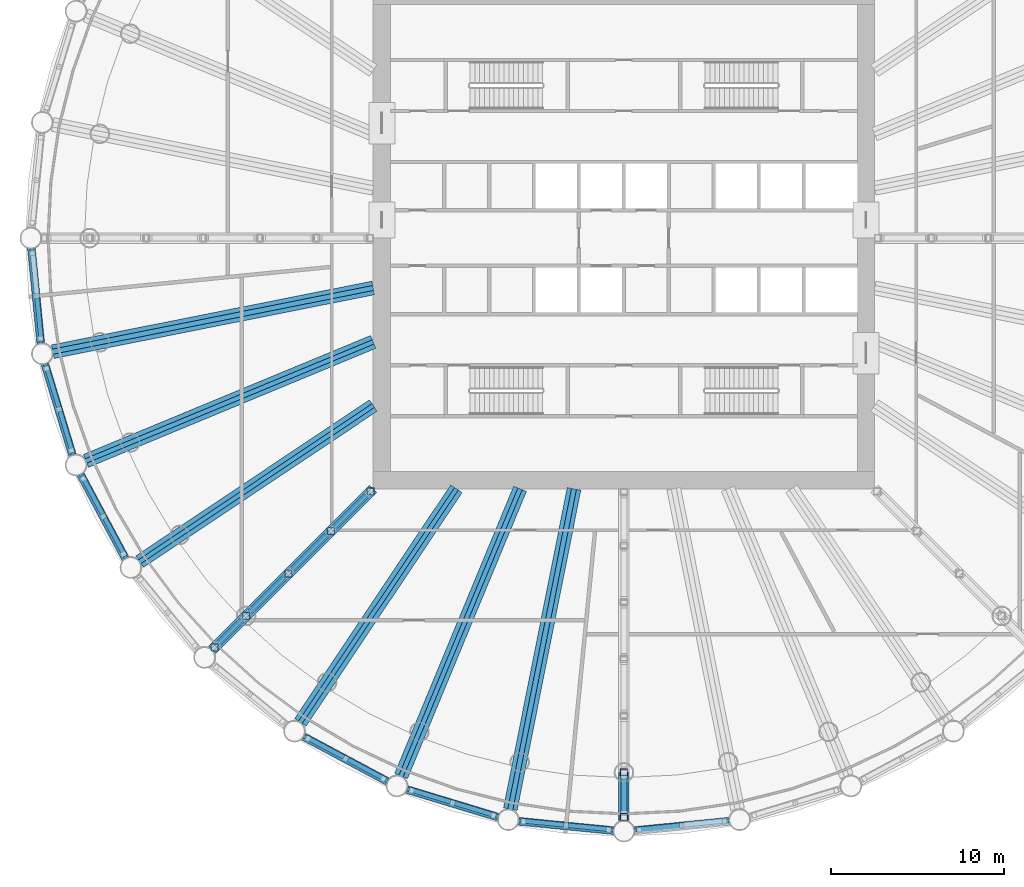
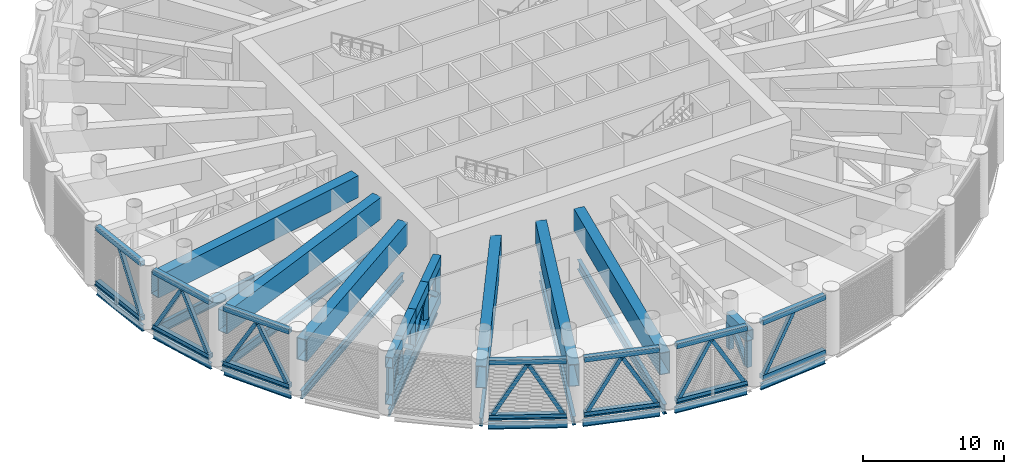
# One storey, part 2 of 29: 50 members, 20 beams, 6 elements without a shape of their own.
"""IFC4 building model written with IfcOpenShell, lengths in metres."""

from ifc_helpers import new_model, si_unit, direction, frame, origin, origin_2d, place, context, subcontext, project, spatial, rectangle, hollow_rectangle, i_section, extrude, material, material_profile, profile_set, type_object, element, aggregate, save


model = new_model("IFC4")

# Units and contexts
model_context = context("Model", 3, precision=1e-05, world=origin(), true_north=direction((0.0, 1.0)))
body_context = subcontext(model_context, "Body", "Model", "MODEL_VIEW")
ifc_project = project(units=[si_unit("LENGTHUNIT", "METRE"), si_unit("AREAUNIT", "SQUARE_METRE"), si_unit("VOLUMEUNIT", "CUBIC_METRE"), si_unit("PLANEANGLEUNIT", "RADIAN"), si_unit("MASSUNIT", "GRAM", prefix="KILO")], contexts=[model_context])

# Site, building, storey
site_placement = place(None, origin())
site = spatial("IfcSite", under=ifc_project, at=site_placement, CompositionType="ELEMENT")
building_placement = place(site_placement, origin())
building = spatial("IfcBuilding", under=site, at=building_placement, Name="Corvane Civic Tower", CompositionType="ELEMENT")
storey_placement = place(building_placement, frame((0.0, 0.0, 138.5)))
storey = spatial("IfcBuildingStorey", under=building, at=storey_placement, Name="L32", CompositionType="ELEMENT", Elevation=138.5)

# Members
ifc_material_1 = material(Name="Steel ASTM A500 Gr C", Category="steel")
ifc_material_profile_1 = material_profile(ifc_material_1, hollow_rectangle(XDim=0.406494140625, YDim=0.406494140625, WallThickness=0.0146484375, at=origin_2d()), Name="HSS16X16X5/8")
ifc_profile_set_1 = profile_set([ifc_material_profile_1], Name="Steel ASTM A500 Gr C")
member_type_1 = type_object("IfcMemberType", Name="BELT CHORD HSS16X16X5/8", PredefinedType="CHORD", material=ifc_profile_set_1)
for number, where, z_axis, x_axis, name in (
    (1, (6.069580078125, -33.7021484375, 4.94677734375), (-0.995183154593, -0.098033100605, 0.0), (0.098033100605, -0.995183154593, 0.0), "Belt truss BT-L32"),
    (2, (6.069580078125, -33.7021484375, 0.203125), (-0.995183154593, -0.098033100605, 0.0), (0.098033100605, -0.995183154593, 0.0), "Belt truss BT-L32"),
    (3, (-0.6220703125, -34.23876953125, 4.94677734375), (-0.995183154593, 0.098033100605, 0.0), (-0.098033100605, -0.995183154593, 0.0), "Belt truss BT-L32"),
    (4, (-0.6220703125, -34.23876953125, 0.203125), (-0.995183154593, 0.098033100605, 0.0), (-0.098033100605, -0.995183154593, 0.0), "Belt truss BT-L32"),
    (5, (-7.289794921875, -33.45947265625, 4.94677734375), (-0.956931700875, 0.290313141039, 0.0), (-0.290313141039, -0.956931700875, 0.0), "Belt truss BT-L32"),
    (6, (-7.289794921875, -33.45947265625, 0.203125), (-0.956931700875, 0.290313141039, 0.0), (-0.290313141039, -0.956931700875, 0.0), "Belt truss BT-L32"),
    (7, (-13.67724609375, -31.394287109375, 4.94677734375), (-0.881929111224, 0.47138205606, 0.0), (-0.47138205606, -0.881929111224, 0.0), "Belt truss BT-L32"),
    (8, (-13.67724609375, -31.394287109375, 0.203125), (-0.881929111224, 0.47138205606, 0.0), (-0.47138205606, -0.881929111224, 0.0), "Belt truss BT-L32"),
    (9, (-28.81396484375, -18.5048828125, 4.94677734375), (-0.47138205606, 0.881929111224, 0.0), (-0.881929111224, -0.47138205606, 0.0), "Belt truss BT-L32"),
    (10, (-28.81396484375, -18.5048828125, 0.203125), (-0.47138205606, 0.881929111224, 0.0), (-0.881929111224, -0.47138205606, 0.0), "Belt truss BT-L32"),
    (11, (-31.870361328125, -12.52783203125, 4.94677734375), (-0.290313141039, 0.956931700875, 0.0), (-0.956931700875, -0.290313141039, 0.0), "Belt truss BT-L32"),
    (12, (-31.870361328125, -12.52783203125, 0.203125), (-0.290313141039, 0.956931700875, 0.0), (-0.956931700875, -0.290313141039, 0.0), "Belt truss BT-L32"),
    (13, (-33.7021484375, -6.069580078125, 4.94677734375), (-0.098033100605, 0.995183154593, 0.0), (-0.995183154593, -0.098033100605, 0.0), "Belt truss BT-L32"),
    (14, (-33.7021484375, -6.069580078125, 0.203125), (-0.098033100605, 0.995183154593, 0.0), (-0.995183154593, -0.098033100605, 0.0), "Belt truss BT-L32"),
):
    element("IfcMember", number, at=place(storey_placement, frame(where, z_axis=z_axis, x_axis=x_axis)), inside=storey, type_object=member_type_1, Name=name, PredefinedType="CHORD", context=body_context, shape_type="SweptSolid", body=[
        extrude(hollow_rectangle(XDim=0.406494140625, YDim=0.406494140625, WallThickness=0.0146484375, at=origin_2d()), origin(), (0.0, 0.0, 1.0), 5.473876953125),
    ])
ifc_material_2 = material(Name="Steel ASTM A500 Gr C", Category="steel")
ifc_material_profile_2 = material_profile(ifc_material_2, hollow_rectangle(XDim=0.3046875, YDim=0.3046875, WallThickness=0.01171875, at=origin_2d()), Name="HSS12X12X1/2")
ifc_profile_set_2 = profile_set([ifc_material_profile_2], Name="Steel ASTM A500 Gr C")
member_type_2 = type_object("IfcMemberType", Name="BELT DIAGONAL HSS12X12X1/2", PredefinedType="BRACE", material=ifc_profile_set_2)
for number, where, z_axis, x_axis, name in (
    (15, (0.870849609375, -34.21435546875, 0.406494140625), (0.495053837868, 0.048782677454, 0.867491756729), (-0.098065181873, 0.995179993822, 0.0), "Belt truss BT-L32"),
    (16, (-0.870849609375, -34.21435546875, 0.406494140625), (-0.495053837868, 0.048782677454, 0.867491756729), (-0.098065181873, -0.995179993822, 0.0), "Belt truss BT-L32"),
):
    element("IfcMember", number, at=place(storey_placement, frame(where, z_axis=z_axis, x_axis=x_axis)), inside=storey, type_object=member_type_2, Name=name, PredefinedType="BRACE", context=body_context, shape_type="SweptSolid", body=[
        extrude(hollow_rectangle(XDim=0.3046875, YDim=0.3046875, WallThickness=0.01171875, at=origin_2d()), origin(), (0.0, 0.0, 1.0), 4.999755859375),
    ])
for number, where, z_axis, x_axis, name in (
    (17, (-5.82080078125, -33.7265625, 0.406494140625), (0.495016972565, -0.048783856722, 0.867512727397), (0.098074762811, 0.995179049669, 0.0), "Belt truss BT-L32"),
    (18, (-7.529052734375, -33.386962890625, 0.406494140625), (-0.475977281417, 0.144399796979, 0.867521945663), (-0.290309839091, -0.956932702611, 0.0), "Belt truss BT-L32"),
    (19, (-12.28857421875, -31.94287109375, 0.406494140625), (0.476011692933, -0.14444425397, 0.867495663209), (0.290372459305, 0.956913702942, 0.0), "Belt truss BT-L32"),
    (20, (-13.897705078125, -31.276611328125, 0.406494140625), (-0.438705197767, 0.234490467462, 0.867497533208), (-0.471393068459, -0.881923225122, 0.0), "Belt truss BT-L32"),
):
    element("IfcMember", number, at=place(storey_placement, frame(where, z_axis=z_axis, x_axis=x_axis)), inside=storey, type_object=member_type_2, Name=name, PredefinedType="BRACE", context=body_context, shape_type="SweptSolid", body=[
        extrude(hollow_rectangle(XDim=0.3046875, YDim=0.3046875, WallThickness=0.01171875, at=origin_2d()), origin(), (0.0, 0.0, 1.0), 4.99951171875),
    ])
for number, where, z_axis, x_axis, name in (
    (21, (-18.284423828125, -28.931640625, 0.406494140625), (0.438700173893, -0.234536613447, 0.867487598977), (0.471469415542, 0.881882412915, 0.0), "Belt truss BT-L32"),
    (22, (-28.931640625, -18.284423828125, 0.406494140625), (-0.234536613447, 0.438700173893, 0.867487598977), (-0.881882412915, -0.471469415542, 0.0), "Belt truss BT-L32"),
):
    element("IfcMember", number, at=place(storey_placement, frame(where, z_axis=z_axis, x_axis=x_axis)), inside=storey, type_object=member_type_2, Name=name, PredefinedType="BRACE", context=body_context, shape_type="SweptSolid", body=[
        extrude(hollow_rectangle(XDim=0.3046875, YDim=0.3046875, WallThickness=0.01171875, at=origin_2d()), origin(), (0.0, 0.0, 1.0), 4.999755859375),
    ])
for number, where, z_axis, x_axis, name in (
    (23, (-31.276611328125, -13.897705078125, 0.406494140625), (0.234490467462, -0.438705197767, 0.867497533208), (0.881923225122, 0.471393068459, 0.0), "Belt truss BT-L32"),
    (24, (-31.94287109375, -12.28857421875, 0.406494140625), (-0.14444425397, 0.476011692933, 0.867495663209), (-0.956913702942, -0.290372459305, 0.0), "Belt truss BT-L32"),
    (25, (-33.386962890625, -7.529052734375, 0.406494140625), (0.144399796979, -0.475977281417, 0.867521945663), (0.956932702611, 0.290309839091, 0.0), "Belt truss BT-L32"),
    (26, (-33.7265625, -5.82080078125, 0.406494140625), (-0.048783856722, 0.495016972565, 0.867512727397), (-0.995179049669, -0.098074762811, 0.0), "Belt truss BT-L32"),
):
    element("IfcMember", number, at=place(storey_placement, frame(where, z_axis=z_axis, x_axis=x_axis)), inside=storey, type_object=member_type_2, Name=name, PredefinedType="BRACE", context=body_context, shape_type="SweptSolid", body=[
        extrude(hollow_rectangle(XDim=0.3046875, YDim=0.3046875, WallThickness=0.01171875, at=origin_2d()), origin(), (0.0, 0.0, 1.0), 4.99951171875),
    ])

# Beams
ifc_material_3 = material(Name="Steel ASTM A992 Gr 50", Category="steel")
ifc_material_profile_3 = material_profile(ifc_material_3, i_section(OverallWidth=0.209228515625, OverallDepth=0.533447265625, WebThickness=0.01025390625, FlangeThickness=0.015625, at=origin_2d()), Name="W21X62")
ifc_profile_set_3 = profile_set([ifc_material_profile_3], Name="Steel ASTM A992 Gr 50")
beam_type_1 = type_object("IfcBeamType", Name="EDGE BEAM W21X62", PredefinedType="BEAM", material=ifc_profile_set_3)
for number, where, z_axis, x_axis, name in (
    (27, (6.144287109375, -33.69482421875, -0.61669921875), (-0.995184368522, -0.098020776625, 0.0), (0.098020776625, -0.995184368522, 0.0), "BM-L32-E16"),
    (28, (-0.54736328125, -34.24609375, -0.61669921875), (-0.995184368522, 0.098020776625, 0.0), (-0.098020776625, -0.995184368522, 0.0), "BM-L32-E17"),
):
    element("IfcBeam", number, at=place(storey_placement, frame(where, z_axis=z_axis, x_axis=x_axis)), inside=storey, type_object=beam_type_1, Name=name, PredefinedType="BEAM", context=body_context, shape_type="SweptSolid", body=[
        extrude(i_section(OverallWidth=0.209228515625, OverallDepth=0.533447265625, WebThickness=0.01025390625, FlangeThickness=0.015625, at=origin_2d()), origin(), (0.0, 0.0, 1.0), 5.6240234375),
    ])
beam_1_placement = place(storey_placement, frame((-7.218017578125, -33.481201171875, -0.61669921875), z_axis=(-0.956936367498, 0.290297758448, 0.0), x_axis=(-0.290297758448, -0.956936367498, 0.0)))
element("IfcBeam", 29, at=beam_1_placement, inside=storey, type_object=beam_type_1, Name="BM-L32-E18", PredefinedType="BEAM", context=body_context, shape_type="SweptSolid", body=[
    extrude(i_section(OverallWidth=0.209228515625, OverallDepth=0.533447265625, WebThickness=0.01025390625, FlangeThickness=0.015625, at=origin_2d()), origin(), (0.0, 0.0, 1.0), 5.623779296875),
])
for number, where, z_axis, x_axis, name in (
    (30, (-13.611083984375, -31.4296875, -0.61669921875), (-0.88192357867, 0.471392407008, 0.0), (-0.471392407008, -0.88192357867, 0.0), "BM-L32-E19"),
    (31, (-28.778564453125, -18.571044921875, -0.61669921875), (-0.471392407008, 0.88192357867, 0.0), (-0.88192357867, -0.471392407008, 0.0), "BM-L32-E22"),
):
    element("IfcBeam", number, at=place(storey_placement, frame(where, z_axis=z_axis, x_axis=x_axis)), inside=storey, type_object=beam_type_1, Name=name, PredefinedType="BEAM", context=body_context, shape_type="SweptSolid", body=[
        extrude(i_section(OverallWidth=0.209228515625, OverallDepth=0.533447265625, WebThickness=0.01025390625, FlangeThickness=0.015625, at=origin_2d()), origin(), (0.0, 0.0, 1.0), 5.6240234375),
    ])
beam_2_placement = place(storey_placement, frame((-31.8486328125, -12.599609375, -0.61669921875), z_axis=(-0.290297758448, 0.956936367498, 0.0), x_axis=(-0.956936367498, -0.290297758448, 0.0)))
element("IfcBeam", 32, at=beam_2_placement, inside=storey, type_object=beam_type_1, Name="BM-L32-E23", PredefinedType="BEAM", context=body_context, shape_type="SweptSolid", body=[
    extrude(i_section(OverallWidth=0.209228515625, OverallDepth=0.533447265625, WebThickness=0.01025390625, FlangeThickness=0.015625, at=origin_2d()), origin(), (0.0, 0.0, 1.0), 5.623779296875),
])
beam_3_placement = place(storey_placement, frame((-33.69482421875, -6.144287109375, -0.61669921875), z_axis=(-0.098020776625, 0.995184368522, 0.0), x_axis=(-0.995184368522, -0.098020776625, 0.0)))
element("IfcBeam", 33, at=beam_3_placement, inside=storey, type_object=beam_type_1, Name="BM-L32-E24", PredefinedType="BEAM", context=body_context, shape_type="SweptSolid", body=[
    extrude(i_section(OverallWidth=0.209228515625, OverallDepth=0.533447265625, WebThickness=0.01025390625, FlangeThickness=0.015625, at=origin_2d()), origin(), (0.0, 0.0, 1.0), 5.6240234375),
])
ifc_material_4 = material(Name="Steel ASTM A992 Gr 50", Category="steel")
ifc_material_profile_4 = material_profile(ifc_material_4, i_section(OverallWidth=0.177978515625, OverallDepth=0.599365234375, WebThickness=0.010009765625, FlangeThickness=0.012939453125, at=origin_2d()), Name="W24X55")
ifc_profile_set_4 = profile_set([ifc_material_profile_4], Name="Steel ASTM A992 Gr 50")
beam_type_2 = type_object("IfcBeamType", Name="FLOOR GIRDER W24X55", PredefinedType="BEAM", material=ifc_profile_set_4)
beam_4_placement = place(storey_placement, frame((-14.5, -14.5, -0.649658203125), z_axis=(-0.707106781187, -0.707106781187, 0.0), x_axis=(0.707106781187, -0.707106781187, 0.0)))
element("IfcBeam", 34, at=beam_4_placement, inside=storey, type_object=beam_type_2, Name="BM-L32-G21", PredefinedType="BEAM", context=body_context, shape_type="SweptSolid", body=[
    extrude(i_section(OverallWidth=0.177978515625, OverallDepth=0.599365234375, WebThickness=0.010009765625, FlangeThickness=0.012939453125, at=origin_2d()), origin(), (0.0, 0.0, 1.0), 13.24365234375),
])
ifc_material_5 = material(Name="Steel ASTM A992 Gr 50", Category="steel")
ifc_material_profile_5 = material_profile(ifc_material_5, i_section(OverallWidth=0.256591796875, OverallDepth=0.693359375, WebThickness=0.014404296875, FlangeThickness=0.023681640625, at=origin_2d()), Name="W27X114")
ifc_profile_set_5 = profile_set([ifc_material_profile_5], Name="Steel ASTM A992 Gr 50")
beam_type_3 = type_object("IfcBeamType", Name="FLOOR GIRDER W27X114", PredefinedType="BEAM", material=ifc_profile_set_5)
for number, where, z_axis, x_axis, name in (
    (35, (-9.6884765625, -14.5, -0.69677734375), (-0.555577235054, -0.83146493365, 0.0), (0.83146493365, -0.555577235054, 0.0), "BM-L32-G20"),
    (36, (-14.5, -9.6884765625, -0.69677734375), (-0.83146493365, -0.555577235054, 0.0), (0.555577235054, -0.83146493365, 0.0), "BM-L32-G22"),
):
    element("IfcBeam", number, at=place(storey_placement, frame(where, z_axis=z_axis, x_axis=x_axis)), inside=storey, type_object=beam_type_3, Name=name, PredefinedType="BEAM", context=body_context, shape_type="SweptSolid", body=[
        extrude(i_section(OverallWidth=0.256591796875, OverallDepth=0.693359375, WebThickness=0.014404296875, FlangeThickness=0.023681640625, at=origin_2d()), origin(), (0.0, 0.0, 1.0), 16.31103515625),
    ])
ifc_material_6 = material(Name="Steel ASTM A992 Gr 50", Category="steel")
ifc_material_profile_6 = material_profile(ifc_material_6, i_section(OverallWidth=0.2666015625, OverallDepth=0.7568359375, WebThickness=0.013916015625, FlangeThickness=0.019287109375, at=origin_2d()), Name="W30X108")
ifc_profile_set_6 = profile_set([ifc_material_profile_6], Name="Steel ASTM A992 Gr 50")
beam_type_4 = type_object("IfcBeamType", Name="FLOOR GIRDER W30X108", PredefinedType="BEAM", material=ifc_profile_set_6)
for number, where, z_axis, x_axis, name in (
    (37, (-6.006103515625, -14.5, -0.728515625), (-0.382681797504, -0.923880209691, 0.0), (0.923880209691, -0.382681797504, 0.0), "BM-L32-G19"),
    (38, (-14.5, -6.006103515625, -0.728515625), (-0.923880209691, -0.382681797504, 0.0), (0.382681797504, -0.923880209691, 0.0), "BM-L32-G23"),
):
    element("IfcBeam", number, at=place(storey_placement, frame(where, z_axis=z_axis, x_axis=x_axis)), inside=storey, type_object=beam_type_4, Name=name, PredefinedType="BEAM", context=body_context, shape_type="SweptSolid", body=[
        extrude(i_section(OverallWidth=0.2666015625, OverallDepth=0.7568359375, WebThickness=0.013916015625, FlangeThickness=0.019287109375, at=origin_2d()), origin(), (0.0, 0.0, 1.0), 18.05517578125),
    ])
ifc_material_7 = material(Name="Steel ASTM A992 Gr 50", Category="steel")
ifc_material_profile_7 = material_profile(ifc_material_7, i_section(OverallWidth=0.2919921875, OverallDepth=0.8583984375, WebThickness=0.01708984375, FlangeThickness=0.031005859375, at=origin_2d()), Name="W33X169")
ifc_profile_set_7 = profile_set([ifc_material_profile_7], Name="Steel ASTM A992 Gr 50")
beam_type_5 = type_object("IfcBeamType", Name="FLOOR GIRDER W33X169", PredefinedType="BEAM", material=ifc_profile_set_7)
for number, where, z_axis, x_axis, name in (
    (39, (-2.88427734375, -14.5, -0.779296875), (-0.195083745652, -0.9807865885, 0.0), (0.9807865885, -0.195083745652, 0.0), "BM-L32-G18"),
    (40, (-14.5, -2.88427734375, -0.779296875), (-0.9807865885, -0.195083745652, 0.0), (0.195083745652, -0.9807865885, 0.0), "BM-L32-G24"),
):
    element("IfcBeam", number, at=place(storey_placement, frame(where, z_axis=z_axis, x_axis=x_axis)), inside=storey, type_object=beam_type_5, Name=name, PredefinedType="BEAM", context=body_context, shape_type="SweptSolid", body=[
        extrude(i_section(OverallWidth=0.2919921875, OverallDepth=0.8583984375, WebThickness=0.01708984375, FlangeThickness=0.031005859375, at=origin_2d()), origin(), (0.0, 0.0, 1.0), 18.966064453125),
    ])

# Members
ifc_material_8 = material(Name="Steel ASTM A572 Gr 50", Category="steel")
ifc_material_profile_8 = material_profile(ifc_material_8, hollow_rectangle(XDim=0.60009765625, YDim=0.89990234375, WallThickness=0.0400390625, at=origin_2d()), Name="BOX900X600X40")
ifc_profile_set_8 = profile_set([ifc_material_profile_8], Name="Steel ASTM A572 Gr 50")
member_type_3 = type_object("IfcMemberType", Name="OUTRIGGER CHORD BOX900X600X40", PredefinedType="CHORD", material=ifc_profile_set_8)
member_1_placement = place(storey_placement, frame((0.0, -30.89990234375, 3.64990234375), z_axis=(0.0, -1.0, 0.0), x_axis=(1.0, 0.0, 0.0)))
element("IfcMember", 41, at=member_1_placement, inside=storey, type_object=member_type_3, Name="Outrigger truss OT-L32-5", PredefinedType="CHORD", context=body_context, shape_type="SweptSolid", body=[
    extrude(hollow_rectangle(XDim=0.60009765625, YDim=0.89990234375, WallThickness=0.0400390625, at=origin_2d()), origin(), (0.0, 0.0, 1.0), 2.775146484375),
])
member_2_placement = place(storey_placement, frame((-14.5, -14.5, 3.64990234375), z_axis=(-0.707106781187, -0.707106781187, 0.0), x_axis=(0.707106781187, -0.707106781187, 0.0)))
element("IfcMember", 42, at=member_2_placement, inside=storey, type_object=member_type_3, Name="Outrigger truss OT-L32-6", PredefinedType="CHORD", context=body_context, shape_type="SweptSolid", body=[
    extrude(hollow_rectangle(XDim=0.60009765625, YDim=0.89990234375, WallThickness=0.0400390625, at=origin_2d()), origin(), (0.0, 0.0, 1.0), 3.46484375),
])
member_3_placement = place(storey_placement, frame((-16.949951171875, -16.949951171875, 3.64990234375), z_axis=(-0.707106781187, -0.707106781187, 0.0), x_axis=(0.707106781187, -0.707106781187, 0.0)))
element("IfcMember", 43, at=member_3_placement, inside=storey, type_object=member_type_3, Name="Outrigger truss OT-L32-6", PredefinedType="CHORD", context=body_context, shape_type="SweptSolid", body=[
    extrude(hollow_rectangle(XDim=0.60009765625, YDim=0.89990234375, WallThickness=0.0400390625, at=origin_2d()), origin(), (0.0, 0.0, 1.0), 3.46435546875),
])
member_4_placement = place(storey_placement, frame((-19.399658203125, -19.399658203125, 3.64990234375), z_axis=(-0.707106781187, -0.707106781187, 0.0), x_axis=(0.707106781187, -0.707106781187, 0.0)))
element("IfcMember", 44, at=member_4_placement, inside=storey, type_object=member_type_3, Name="Outrigger truss OT-L32-6", PredefinedType="CHORD", context=body_context, shape_type="SweptSolid", body=[
    extrude(hollow_rectangle(XDim=0.60009765625, YDim=0.89990234375, WallThickness=0.0400390625, at=origin_2d()), origin(), (0.0, 0.0, 1.0), 3.46484375),
])
member_5_placement = place(storey_placement, frame((-21.849609375, -21.849609375, 3.64990234375), z_axis=(-0.707106781187, -0.707106781187, 0.0), x_axis=(0.707106781187, -0.707106781187, 0.0)))
element("IfcMember", 45, at=member_5_placement, inside=storey, type_object=member_type_3, Name="Outrigger truss OT-L32-6", PredefinedType="CHORD", context=body_context, shape_type="SweptSolid", body=[
    extrude(hollow_rectangle(XDim=0.60009765625, YDim=0.89990234375, WallThickness=0.0400390625, at=origin_2d()), origin(), (0.0, 0.0, 1.0), 2.77490234375),
])
member_6_placement = place(storey_placement, frame((-14.5, -14.5, 0.449951171875), z_axis=(-0.707106781187, -0.707106781187, 0.0), x_axis=(0.707106781187, -0.707106781187, 0.0)))
element("IfcMember", 46, at=member_6_placement, inside=storey, type_object=member_type_3, Name="Outrigger truss OT-L32-6", PredefinedType="CHORD", context=body_context, shape_type="SweptSolid", body=[
    extrude(hollow_rectangle(XDim=0.60009765625, YDim=0.89990234375, WallThickness=0.0400390625, at=origin_2d()), origin(), (0.0, 0.0, 1.0), 13.1689453125),
])
ifc_material_9 = material(Name="Steel ASTM A500 Gr C", Category="steel")
ifc_material_profile_9 = material_profile(ifc_material_9, hollow_rectangle(XDim=0.355712890625, YDim=0.355712890625, WallThickness=0.01171875, at=origin_2d()), Name="HSS14X14X1/2")
ifc_profile_set_9 = profile_set([ifc_material_profile_9], Name="Steel ASTM A500 Gr C")
member_type_4 = type_object("IfcMemberType", Name="OUTRIGGER DIAGONAL HSS14X14X1/2", PredefinedType="BRACE", material=ifc_profile_set_9)
member_7_placement = place(storey_placement, frame((0.0, -31.103271484375, 3.199951171875), z_axis=(0.0, -0.685453892401, -0.728116035665), x_axis=(1.0, 0.0, 0.0)))
element("IfcMember", 47, at=member_7_placement, inside=storey, type_object=member_type_4, Name="Outrigger truss OT-L32-5", PredefinedType="BRACE", context=body_context, shape_type="SweptSolid", body=[
    extrude(hollow_rectangle(XDim=0.355712890625, YDim=0.355712890625, WallThickness=0.01171875, at=origin_2d()), origin(), (0.0, 0.0, 1.0), 3.158935546875),
])
member_8_placement = place(storey_placement, frame((-14.787353515625, -14.787353515625, 0.89990234375), z_axis=(-0.55064544484, -0.55064544484, 0.627358899), x_axis=(0.707106781187, -0.707106781187, 0.0)))
element("IfcMember", 48, at=member_8_placement, inside=storey, type_object=member_type_4, Name="Outrigger truss OT-L32-6", PredefinedType="BRACE", context=body_context, shape_type="SweptSolid", body=[
    extrude(hollow_rectangle(XDim=0.355712890625, YDim=0.355712890625, WallThickness=0.01171875, at=origin_2d()), origin(), (0.0, 0.0, 1.0), 3.666259765625),
])
member_9_placement = place(storey_placement, frame((-17.093505859375, -17.093505859375, 3.199951171875), z_axis=(-0.565129033504, -0.565129033504, -0.601047711069), x_axis=(0.707106781187, -0.707106781187, 0.0)))
element("IfcMember", 49, at=member_9_placement, inside=storey, type_object=member_type_4, Name="Outrigger truss OT-L32-6", PredefinedType="BRACE", context=body_context, shape_type="SweptSolid", body=[
    extrude(hollow_rectangle(XDim=0.355712890625, YDim=0.355712890625, WallThickness=0.01171875, at=origin_2d()), origin(), (0.0, 0.0, 1.0), 3.82666015625),
])
member_10_placement = place(storey_placement, frame((-19.54345703125, -19.54345703125, 0.89990234375), z_axis=(-0.565105983192, -0.565105983192, 0.601091054268), x_axis=(0.707106781187, -0.707106781187, 0.0)))
element("IfcMember", 50, at=member_10_placement, inside=storey, type_object=member_type_4, Name="Outrigger truss OT-L32-6", PredefinedType="BRACE", context=body_context, shape_type="SweptSolid", body=[
    extrude(hollow_rectangle(XDim=0.355712890625, YDim=0.355712890625, WallThickness=0.01171875, at=origin_2d()), origin(), (0.0, 0.0, 1.0), 3.826416015625),
])
member_11_placement = place(storey_placement, frame((-21.9931640625, -21.9931640625, 3.199951171875), z_axis=(-0.48471654406, -0.48471654406, -0.728079490049), x_axis=(0.707106781187, -0.707106781187, 0.0)))
element("IfcMember", 51, at=member_11_placement, inside=storey, type_object=member_type_4, Name="Outrigger truss OT-L32-6", PredefinedType="BRACE", context=body_context, shape_type="SweptSolid", body=[
    extrude(hollow_rectangle(XDim=0.355712890625, YDim=0.355712890625, WallThickness=0.01171875, at=origin_2d()), origin(), (0.0, 0.0, 1.0), 3.1591796875),
])
ifc_material_10 = material(Name="Steel ASTM A500 Gr C", Category="steel")
ifc_material_profile_10 = material_profile(ifc_material_10, hollow_rectangle(XDim=0.406494140625, YDim=0.406494140625, WallThickness=0.0146484375, at=origin_2d()), Name="HSS16X16X5/8")
ifc_profile_set_10 = profile_set([ifc_material_profile_10], Name="Steel ASTM A500 Gr C")
member_type_5 = type_object("IfcMemberType", Name="OUTRIGGER POST HSS16X16X5/8", PredefinedType="POST", material=ifc_profile_set_10)
for number, where, z_axis, x_axis, name in (
    (52, (0.0, -30.89990234375, 0.89990234375), (0.0, 0.0, 1.0), (1.0, 0.0, 0.0), "Outrigger truss OT-L32-5"),
    (53, (0.0, -33.4716796875, 0.89990234375), (0.0, 0.0, 1.0), (1.0, 0.0, 0.0), "Outrigger truss OT-L32-5"),
    (54, (-14.643798828125, -14.643798828125, 0.89990234375), (0.0, 0.0, 1.0), (1.0, 0.0, 0.0), "Outrigger truss OT-L32-6"),
    (55, (-16.949951171875, -16.949951171875, 0.89990234375), (0.0, 0.0, 1.0), (1.0, 0.0, 0.0), "Outrigger truss OT-L32-6"),
    (56, (-19.399658203125, -19.399658203125, 0.89990234375), (0.0, 0.0, 1.0), (1.0, 0.0, 0.0), "Outrigger truss OT-L32-6"),
    (57, (-21.849609375, -21.849609375, 0.89990234375), (0.0, 0.0, 1.0), (1.0, 0.0, 0.0), "Outrigger truss OT-L32-6"),
    (58, (-23.668212890625, -23.668212890625, 0.89990234375), (0.0, 0.0, 1.0), (1.0, 0.0, 0.0), "Outrigger truss OT-L32-6"),
):
    element("IfcMember", number, at=place(storey_placement, frame(where, z_axis=z_axis, x_axis=x_axis)), inside=storey, type_object=member_type_5, Name=name, PredefinedType="POST", context=body_context, shape_type="SweptSolid", body=[
        extrude(hollow_rectangle(XDim=0.406494140625, YDim=0.406494140625, WallThickness=0.0146484375, at=origin_2d()), origin(), (0.0, 0.0, 1.0), 2.300048828125),
    ])

# Curtain wall, member
ifc_material_11 = material(Name="Anodised aluminium bronze", Category="aluminium")
curtain_wall_type = type_object("IfcCurtainWallType", Name="TOWER CW-LV LOUVRE SCREEN WALL", PredefinedType="NOTDEFINED", material=ifc_material_11)
curtain_wall_1_placement = place(storey_placement, origin())
curtain_wall_1 = element("IfcCurtainWall", 59, at=curtain_wall_1_placement, inside=storey, type_object=curtain_wall_type, Name="Louvre screen wall CW-LV L32 bay 17", PredefinedType="NOTDEFINED")
ifc_material_12 = material(Name="Anodised aluminium bronze", Category="aluminium")
ifc_material_profile_11 = material_profile(ifc_material_12, rectangle(XDim=0.139892578125, YDim=0.1201171875, at=origin_2d()), Name="TOWER CW-LV TRANSOM 140x120")
ifc_profile_set_11 = profile_set([ifc_material_profile_11], Name="Anodised aluminium bronze")
member_type_6 = type_object("IfcMemberType", Name="TOWER CW-LV TRANSOM 140x120", PredefinedType="USERDEFINED", material=ifc_profile_set_11)
member_12_placement = place(storey_placement, frame((-0.58349609375, -34.422607421875, 0.06005859375), z_axis=(-0.995179807033, 0.098067077419, 0.0), x_axis=(-0.098067077419, -0.995179807033, 0.0)))
member_12 = element("IfcMember", 60, at=member_12_placement, type_object=member_type_6, Name="Transom CW-LV L32 17.1", ObjectType="TRANSOM", PredefinedType="USERDEFINED", context=body_context, shape_type="SweptSolid", body=[
    extrude(rectangle(XDim=0.139892578125, YDim=0.1201171875, at=origin_2d()), origin(), (0.0, 0.0, 1.0), 5.58642578125),
])
aggregate(curtain_wall_1, [member_12])

curtain_wall_2_placement = place(storey_placement, origin())
curtain_wall_2 = element("IfcCurtainWall", 61, at=curtain_wall_2_placement, inside=storey, type_object=curtain_wall_type, Name="Louvre screen wall CW-LV L32 bay 18", PredefinedType="NOTDEFINED")
member_13_placement = place(storey_placement, frame((-7.287841796875, -33.647216796875, 0.06005859375), z_axis=(-0.956944977029, 0.290269376509, 0.0), x_axis=(-0.290269376509, -0.956944977029, 0.0)))
member_13 = element("IfcMember", 62, at=member_13_placement, type_object=member_type_6, Name="Transom CW-LV L32 18.1", ObjectType="TRANSOM", PredefinedType="USERDEFINED", context=body_context, shape_type="SweptSolid", body=[
    extrude(rectangle(XDim=0.139892578125, YDim=0.1201171875, at=origin_2d()), origin(), (0.0, 0.0, 1.0), 5.58642578125),
])
aggregate(curtain_wall_2, [member_13])

curtain_wall_3_placement = place(storey_placement, origin())
curtain_wall_3 = element("IfcCurtainWall", 63, at=curtain_wall_3_placement, inside=storey, type_object=curtain_wall_type, Name="Louvre screen wall CW-LV L32 bay 19", PredefinedType="NOTDEFINED")
member_14_placement = place(storey_placement, frame((-13.712158203125, -31.5791015625, 0.06005859375), z_axis=(-0.881920705407, 0.47139778253, 0.0), x_axis=(-0.47139778253, -0.881920705407, 0.0)))
member_14 = element("IfcMember", 64, at=member_14_placement, type_object=member_type_6, Name="Transom CW-LV L32 19.1", ObjectType="TRANSOM", PredefinedType="USERDEFINED", context=body_context, shape_type="SweptSolid", body=[
    extrude(rectangle(XDim=0.139892578125, YDim=0.1201171875, at=origin_2d()), origin(), (0.0, 0.0, 1.0), 5.586669921875),
])
aggregate(curtain_wall_3, [member_14])

curtain_wall_4_placement = place(storey_placement, origin())
curtain_wall_4 = element("IfcCurtainWall", 65, at=curtain_wall_4_placement, inside=storey, type_object=curtain_wall_type, Name="Louvre screen wall CW-LV L32 bay 22", PredefinedType="NOTDEFINED")
member_15_placement = place(storey_placement, frame((-28.945556640625, -18.63916015625, 0.06005859375), z_axis=(-0.47139778253, 0.881920705407, 0.0), x_axis=(-0.881920705407, -0.47139778253, 0.0)))
member_15 = element("IfcMember", 66, at=member_15_placement, type_object=member_type_6, Name="Transom CW-LV L32 22.1", ObjectType="TRANSOM", PredefinedType="USERDEFINED", context=body_context, shape_type="SweptSolid", body=[
    extrude(rectangle(XDim=0.139892578125, YDim=0.1201171875, at=origin_2d()), origin(), (0.0, 0.0, 1.0), 5.586669921875),
])
aggregate(curtain_wall_4, [member_15])

curtain_wall_5_placement = place(storey_placement, origin())
curtain_wall_5 = element("IfcCurtainWall", 67, at=curtain_wall_5_placement, inside=storey, type_object=curtain_wall_type, Name="Louvre screen wall CW-LV L32 bay 23", PredefinedType="NOTDEFINED")
member_16_placement = place(storey_placement, frame((-32.025634765625, -12.6337890625, 0.06005859375), z_axis=(-0.290269376509, 0.956944977029, 0.0), x_axis=(-0.956944977029, -0.290269376509, 0.0)))
member_16 = element("IfcMember", 68, at=member_16_placement, type_object=member_type_6, Name="Transom CW-LV L32 23.1", ObjectType="TRANSOM", PredefinedType="USERDEFINED", context=body_context, shape_type="SweptSolid", body=[
    extrude(rectangle(XDim=0.139892578125, YDim=0.1201171875, at=origin_2d()), origin(), (0.0, 0.0, 1.0), 5.58642578125),
])
aggregate(curtain_wall_5, [member_16])

curtain_wall_6_placement = place(storey_placement, origin())
curtain_wall_6 = element("IfcCurtainWall", 69, at=curtain_wall_6_placement, inside=storey, type_object=curtain_wall_type, Name="Louvre screen wall CW-LV L32 bay 24", PredefinedType="NOTDEFINED")
member_17_placement = place(storey_placement, frame((-33.874755859375, -6.14306640625, 0.06005859375), z_axis=(-0.098067077419, 0.995179807033, 0.0), x_axis=(-0.995179807033, -0.098067077419, 0.0)))
member_17 = element("IfcMember", 70, at=member_17_placement, type_object=member_type_6, Name="Transom CW-LV L32 24.1", ObjectType="TRANSOM", PredefinedType="USERDEFINED", context=body_context, shape_type="SweptSolid", body=[
    extrude(rectangle(XDim=0.139892578125, YDim=0.1201171875, at=origin_2d()), origin(), (0.0, 0.0, 1.0), 5.58642578125),
])
aggregate(curtain_wall_6, [member_17])

# Beams
ifc_material_13 = material(Name="Steel ASTM A572 Gr 50", Category="steel")
ifc_material_profile_12 = material_profile(ifc_material_13, hollow_rectangle(XDim=0.800048828125, YDim=1.89990234375, WallThickness=0.050048828125, at=origin_2d()), Name="BOX1900X800X50")
ifc_profile_set_12 = profile_set([ifc_material_profile_12], Name="Steel ASTM A572 Gr 50")
beam_type_6 = type_object("IfcBeamType", Name="TRANSFER GIRDER BOX1900X800X50", PredefinedType="BEAM", material=ifc_profile_set_12)
beam_5_placement = place(storey_placement, frame((-2.88427734375, -14.5, 3.14990234375), z_axis=(-0.1950846088, -0.980786416815, 0.0), x_axis=(0.980786416815, -0.1950846088, 0.0)))
element("IfcBeam", 71, at=beam_5_placement, inside=storey, type_object=beam_type_6, Name="Transfer girder TG-L32-18", PredefinedType="BEAM", context=body_context, shape_type="SweptSolid", body=[
    extrude(hollow_rectangle(XDim=0.800048828125, YDim=1.89990234375, WallThickness=0.050048828125, at=origin_2d()), origin(), (0.0, 0.0, 1.0), 18.890869140625),
])
beam_6_placement = place(storey_placement, frame((-6.006103515625, -14.5, 3.14990234375), z_axis=(-0.382689169316, -0.923877156168, 0.0), x_axis=(0.923877156168, -0.382689169316, 0.0)))
element("IfcBeam", 72, at=beam_6_placement, inside=storey, type_object=beam_type_6, Name="Transfer girder TG-L32-19", PredefinedType="BEAM", context=body_context, shape_type="SweptSolid", body=[
    extrude(hollow_rectangle(XDim=0.800048828125, YDim=1.89990234375, WallThickness=0.050048828125, at=origin_2d()), origin(), (0.0, 0.0, 1.0), 17.980224609375),
])
for number, where, z_axis, x_axis, name in (
    (73, (-9.6884765625, -14.5, 3.14990234375), (-0.5555708798, -0.831469180137, 0.0), (0.831469180137, -0.5555708798, 0.0), "Transfer girder TG-L32-20"),
    (74, (-14.5, -9.6884765625, 3.14990234375), (-0.831469180137, -0.5555708798, 0.0), (0.5555708798, -0.831469180137, 0.0), "Transfer girder TG-L32-22"),
):
    element("IfcBeam", number, at=place(storey_placement, frame(where, z_axis=z_axis, x_axis=x_axis)), inside=storey, type_object=beam_type_6, Name=name, PredefinedType="BEAM", context=body_context, shape_type="SweptSolid", body=[
        extrude(hollow_rectangle(XDim=0.800048828125, YDim=1.89990234375, WallThickness=0.050048828125, at=origin_2d()), origin(), (0.0, 0.0, 1.0), 16.236083984375),
    ])
beam_7_placement = place(storey_placement, frame((-14.5, -6.006103515625, 3.14990234375), z_axis=(-0.923877156168, -0.382689169316, 0.0), x_axis=(0.382689169316, -0.923877156168, 0.0)))
element("IfcBeam", 75, at=beam_7_placement, inside=storey, type_object=beam_type_6, Name="Transfer girder TG-L32-23", PredefinedType="BEAM", context=body_context, shape_type="SweptSolid", body=[
    extrude(hollow_rectangle(XDim=0.800048828125, YDim=1.89990234375, WallThickness=0.050048828125, at=origin_2d()), origin(), (0.0, 0.0, 1.0), 17.980224609375),
])
beam_8_placement = place(storey_placement, frame((-14.5, -2.88427734375, 3.14990234375), z_axis=(-0.980786416815, -0.1950846088, 0.0), x_axis=(0.1950846088, -0.980786416815, 0.0)))
element("IfcBeam", 76, at=beam_8_placement, inside=storey, type_object=beam_type_6, Name="Transfer girder TG-L32-24", PredefinedType="BEAM", context=body_context, shape_type="SweptSolid", body=[
    extrude(hollow_rectangle(XDim=0.800048828125, YDim=1.89990234375, WallThickness=0.050048828125, at=origin_2d()), origin(), (0.0, 0.0, 1.0), 18.890869140625),
])

save(model, "model.ifc")
